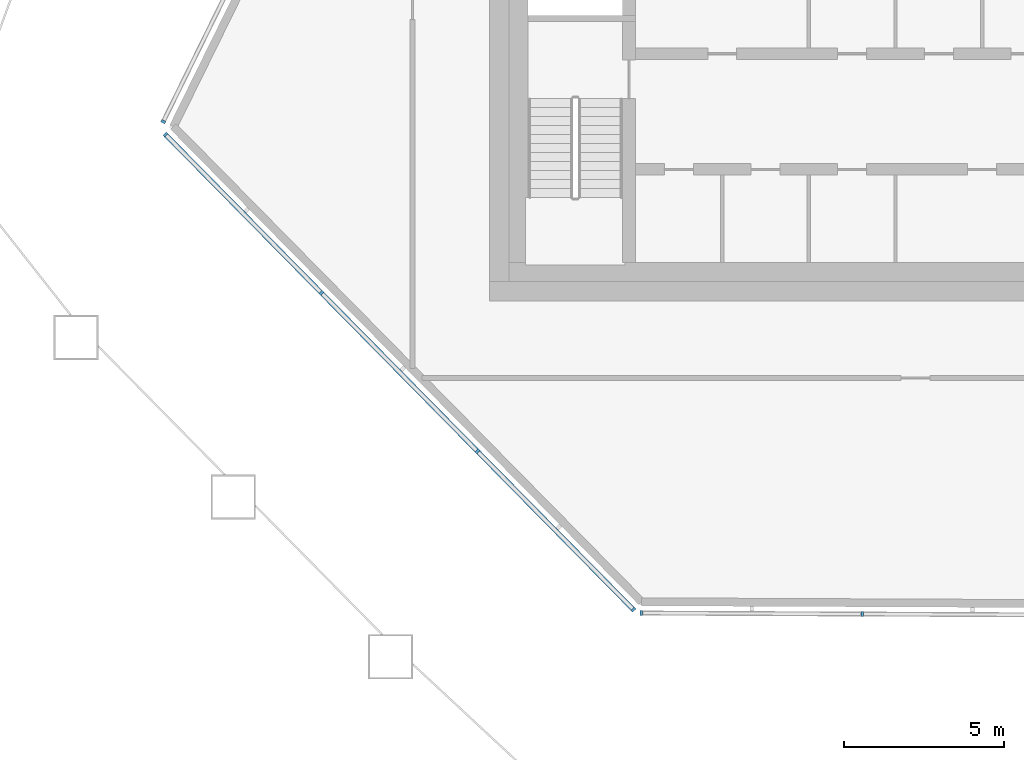
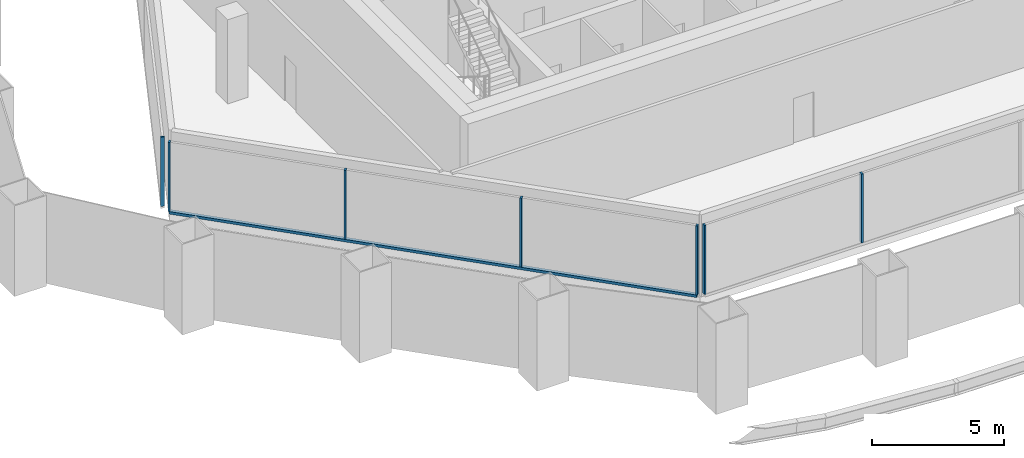
# One storey, part 2 of 18: 8 members, 3 elements without a shape of their own.
"""IFC4 building model written with IfcOpenShell, lengths in metres."""

import ifcopenshell
import ifcopenshell.guid

model = None  # the IFC model being written
_history = None  # IfcOwnerHistory: only IFC2X3 demands one
_inside = {}  # id of a spatial element -> (the spatial element, [elements in it])
_under = {}  # id of a project, library or spatial element -> (it, [spatial elements below it])
_declared = {}  # id of a project -> (the project, [libraries it declares])
_typed = {}  # id of a type object -> (the type object, [elements of that type])
_made_of = {}  # id of a material, layer set ... -> (it, [elements and type objects made of it])


def new_model(schema):
    """Start an empty IFC model of exactly this schema.

    Asked for "IFC4X3", IfcOpenShell would pick the latest addendum, in which some entities
    have other attributes; the version numbers below select the first issue.
    IFC2X3 requires an IfcOwnerHistory on every rooted entity: one is made here for all.
    """
    global model, _history
    if schema == "IFC4X3":
        model = ifcopenshell.file(schema_version=(4, 3, 0, 0))
    else:
        model = ifcopenshell.file(schema=schema)
    _inside.clear()
    _under.clear()
    _declared.clear()
    _typed.clear()
    _made_of.clear()
    _history = None
    if model.schema == "IFC2X3":
        org = make("IfcOrganization", Name="unknown")
        user = make(
            "IfcPersonAndOrganization",
            ThePerson=make("IfcPerson", FamilyName="unknown"),
            TheOrganization=org,
        )
        app = make(
            "IfcApplication",
            ApplicationDeveloper=org,
            Version="unknown",
            ApplicationFullName="unknown",
            ApplicationIdentifier="unknown",
        )
        _history = make(
            "IfcOwnerHistory",
            OwningUser=user,
            OwningApplication=app,
            ChangeAction="ADDED",
            CreationDate=0,
        )
    return model


def make(cls, **values):
    """One entity of the class cls with the attributes given. An attribute that is None is left unset."""
    return model.create_entity(
        cls, **{name: value for name, value in values.items() if value is not None}
    )


def rooted(cls, **values):
    """An entity with a GlobalId (a new one), such as an element, a storey or a relation."""
    return make(cls, GlobalId=ifcopenshell.guid.new(), OwnerHistory=_history, **values)


def si_unit(unit_type, name, prefix=None):
    """IfcSIUnit, for example si_unit("LENGTHUNIT", "METRE", prefix="MILLI")."""
    return make("IfcSIUnit", UnitType=unit_type, Prefix=prefix, Name=name)


def assignment(units):
    """IfcUnitAssignment: the units of a project."""
    return None if units is None else make("IfcUnitAssignment", Units=units)


def point(xyz):
    """IfcCartesianPoint."""
    return None if xyz is None else make("IfcCartesianPoint", Coordinates=xyz)


def direction(xyz):
    """IfcDirection."""
    return None if xyz is None else make("IfcDirection", DirectionRatios=xyz)


def frame(location, z_axis=None, x_axis=None):
    """IfcAxis2Placement3D, a coordinate frame: its origin and axes. An axis left out is left unset."""
    return make(
        "IfcAxis2Placement3D",
        Location=point(location),
        Axis=direction(z_axis),
        RefDirection=direction(x_axis),
    )


def frame_2d(location, x_axis=None):
    """IfcAxis2Placement2D, a coordinate frame in the plane: its origin and x axis."""
    return make(
        "IfcAxis2Placement2D", Location=point(location), RefDirection=direction(x_axis)
    )


def origin():
    """The frame at (0, 0, 0) with its axes left unset."""
    return frame((0.0, 0.0, 0.0))


def origin_2d():
    """The frame at (0, 0) in the plane with its x axis left unset."""
    return frame_2d((0.0, 0.0))


def place(relative_to, where):
    """IfcLocalPlacement: puts the frame where relative to a parent placement (None: the world)."""
    return make(
        "IfcLocalPlacement", PlacementRelTo=relative_to, RelativePlacement=where
    )


def context(
    kind, dimensions, precision=None, world=None, true_north=None, identifier=None
):
    """IfcGeometricRepresentationContext, for example the 3D "Model" context."""
    return make(
        "IfcGeometricRepresentationContext",
        ContextIdentifier=identifier,
        ContextType=kind,
        CoordinateSpaceDimension=dimensions,
        Precision=precision,
        WorldCoordinateSystem=world,
        TrueNorth=true_north,
    )


def subcontext(parent, identifier, kind, view, scale=None):
    """IfcGeometricRepresentationSubContext, for example "Body" below "Model"."""
    return make(
        "IfcGeometricRepresentationSubContext",
        ContextIdentifier=identifier,
        ContextType=kind,
        ParentContext=parent,
        TargetScale=scale,
        TargetView=view,
    )


def project(units=None, contexts=None):
    """IfcProject with its units and contexts."""
    return rooted(
        "IfcProject",
        Name="project",
        RepresentationContexts=contexts,
        UnitsInContext=assignment(units),
    )


def spatial(cls, under=None, at=None, **own):
    """A site, building, storey or space (cls), placed at a placement, below another one or the project."""
    s = rooted(cls, ObjectPlacement=at, **own)
    if under is not None:
        _under.setdefault(under.id(), (under, []))[1].append(s)
    return s


def profile(cls, at=None, kind="AREA", **sizes):
    """A parametric profile (cls). Its sizes go by their IFC names, for example OverallWidth=200.0."""
    return make(cls, ProfileType=kind, Position=at, **sizes)


def rectangle(**sizes):
    """IfcRectangleProfileDef."""
    return profile("IfcRectangleProfileDef", **sizes)


def extrude(swept, where, along, depth):
    """IfcExtrudedAreaSolid: the profile swept, set in the frame where, extruded along a direction by depth."""
    return make(
        "IfcExtrudedAreaSolid",
        SweptArea=swept,
        Position=where,
        ExtrudedDirection=direction(along),
        Depth=depth,
    )


def shape(context_of_items, identifier, shape_type, items):
    """IfcShapeRepresentation: the items that make up one representation, for example the "Body"."""
    return make(
        "IfcShapeRepresentation",
        ContextOfItems=context_of_items,
        RepresentationIdentifier=identifier,
        RepresentationType=shape_type,
        Items=items,
    )


def material(Name=None, Category=None):
    """IfcMaterial."""
    return make("IfcMaterial", Name=Name, Category=Category)


def layer(
    of_material, thickness, ventilated=None, Name=None, Category=None, Priority=None
):
    """IfcMaterialLayer: one layer of a wall or slab, of a material (None: an air gap)."""
    return make(
        "IfcMaterialLayer",
        Material=of_material,
        LayerThickness=thickness,
        IsVentilated=ventilated,
        Name=Name,
        Category=Category,
        Priority=Priority,
    )


def layer_set(layers, Name=None):
    """IfcMaterialLayerSet."""
    return make("IfcMaterialLayerSet", MaterialLayers=layers, LayerSetName=Name)


def material_profile(
    of_material, cross_section, Name=None, Category=None, Priority=None
):
    """IfcMaterialProfile: a cross section and its material."""
    return make(
        "IfcMaterialProfile",
        Name=Name,
        Material=of_material,
        Profile=cross_section,
        Priority=Priority,
        Category=Category,
    )


def profile_set(profiles, Name=None, composite=None):
    """IfcMaterialProfileSet."""
    return make(
        "IfcMaterialProfileSet",
        Name=Name,
        MaterialProfiles=profiles,
        CompositeProfile=composite,
    )


def made_of(thing, what):
    """Note that an element or type object is made of a material, layer set ...; save() writes the relation."""
    if what is not None:
        _made_of.setdefault(what.id(), (what, []))[1].append(thing)
    return thing


def type_object(cls, material=None, **own):
    """A type object (cls), such as IfcWallType, which elements share."""
    return made_of(rooted(cls, **own), material)


def element(
    cls,
    number,
    at=None,
    inside=None,
    cuts=None,
    type_object=None,
    material=None,
    context=None,
    identifier="Body",
    shape_type=None,
    held_by="IfcProductDefinitionShape",
    body=None,
    shapes=None,
    **own,
):
    """One element of the class cls, such as IfcWall. Its Tag is "e" and its number.

    at: its placement. inside: the storey or other place that contains it. cuts: it is an
    opening in that element (IfcRelVoidsElement). A single representation is given by context,
    identifier, shape_type and body (its items); several are given by shapes. held_by: the class
    of the entity that holds the representations. save() writes the other relations.
    """
    e = rooted(cls, Tag="e%d" % number, ObjectPlacement=at, **own)
    if body is not None:
        shapes = [shape(context, identifier, shape_type, body)]
    if shapes is not None:
        e.Representation = make(held_by, Representations=shapes)
    if inside is not None:
        _inside.setdefault(inside.id(), (inside, []))[1].append(e)
    if cuts is not None:
        rooted(
            "IfcRelVoidsElement", RelatingBuildingElement=cuts, RelatedOpeningElement=e
        )
    if type_object is not None:
        _typed.setdefault(type_object.id(), (type_object, []))[1].append(e)
    return made_of(e, material)


def aggregate(whole, parts):
    """IfcRelAggregates: a whole, such as a stair, and the parts it consists of."""
    return rooted("IfcRelAggregates", RelatingObject=whole, RelatedObjects=parts)


def save(model, path):
    """Write the relations noted so far, then the file.

    IfcRelAggregates (storeys below a building ...), IfcRelContainedInSpatialStructure (elements
    in a storey), IfcRelDefinesByType, IfcRelAssociatesMaterial and IfcRelDeclares: one each for
    every whole, place, type object, material and project.
    """
    for whole, parts in _under.values():
        aggregate(whole, parts)
    for where, things in _inside.values():
        rooted(
            "IfcRelContainedInSpatialStructure",
            RelatedElements=things,
            RelatingStructure=where,
        )
    for kind, things in _typed.values():
        rooted("IfcRelDefinesByType", RelatedObjects=things, RelatingType=kind)
    for what, things in _made_of.values():
        rooted("IfcRelAssociatesMaterial", RelatedObjects=things, RelatingMaterial=what)
    for by, libraries in _declared.values():
        rooted("IfcRelDeclares", RelatingContext=by, RelatedDefinitions=libraries)
    model.write(path)


model = new_model("IFC4")

# Units and contexts
model_context = context("Model", 3, precision=1e-05, world=origin(), true_north=direction((0.0, 1.0)))
body_context = subcontext(model_context, "Body", "Model", "MODEL_VIEW")
ifc_project = project(units=[si_unit("LENGTHUNIT", "METRE"), si_unit("AREAUNIT", "SQUARE_METRE"), si_unit("VOLUMEUNIT", "CUBIC_METRE"), si_unit("PLANEANGLEUNIT", "RADIAN"), si_unit("MASSUNIT", "GRAM", prefix="KILO")], contexts=[model_context])

# Site, building, storey
site_placement = place(None, origin())
site = spatial("IfcSite", under=ifc_project, at=site_placement, CompositionType="ELEMENT")
building_placement = place(site_placement, origin())
building = spatial("IfcBuilding", under=site, at=building_placement, Name="Dongbaek Canopy Tower", CompositionType="ELEMENT")
storey_placement = place(building_placement, frame((0.0, 0.0, 371.60009765625)))
storey = spatial("IfcBuildingStorey", under=building, at=storey_placement, Name="L80", CompositionType="ELEMENT", Elevation=371.60009765625)

# Curtain wall, members
ifc_material_1 = material(Name="Aluminium 6063-T6 pale anodised", Category="aluminium")
ifc_layer = layer(ifc_material_1, 0.14990234375)
ifc_layer_set = layer_set([ifc_layer], Name="CW-7 louvre curtain wall")
curtain_wall_type = type_object("IfcCurtainWallType", Name="CW-7 louvre curtain wall", PredefinedType="NOTDEFINED", material=ifc_layer_set)
curtain_wall_1_placement = place(storey_placement, origin())
curtain_wall_1 = element("IfcCurtainWall", 1, at=curtain_wall_1_placement, inside=storey, type_object=curtain_wall_type, Name="CW-7 louvre wall L80 F0", PredefinedType="NOTDEFINED")
ifc_material_2 = material(Name="Aluminium 6063-T6 pale anodised", Category="aluminium")
ifc_material_profile_1 = material_profile(ifc_material_2, rectangle(XDim=0.14990234375, YDim=0.080078125, at=origin_2d()), Name="CW-7 mullion 80 x 150")
ifc_profile_set_1 = profile_set([ifc_material_profile_1], Name="Aluminium 6063-T6 pale anodised")
member_type_1 = type_object("IfcMemberType", Name="CW-7 mullion 80 x 150", PredefinedType="MULLION", material=ifc_profile_set_1)
member_1_placement = place(storey_placement, frame((-9.267333984375, -20.7265625, 0.2998046875), z_axis=(0.0, 0.0, 1.0), x_axis=(-0.004466136555, -0.999990026762, 0.0)))
member_1 = element("IfcMember", 2, at=member_1_placement, type_object=member_type_1, Name="CW-7 mullion L80 F0.1.1", PredefinedType="MULLION", context=body_context, shape_type="SweptSolid", body=[
    extrude(rectangle(XDim=0.14990234375, YDim=0.080078125, at=origin_2d()), origin(), (0.0, 0.0, 1.0), 3.2001953125),
])
member_2_placement = place(storey_placement, frame((-2.3896484375, -20.75732421875, 0.2998046875), z_axis=(0.0, 0.0, 1.0), x_axis=(-0.004466136555, -0.999990026762, 0.0)))
member_2 = element("IfcMember", 3, at=member_2_placement, type_object=member_type_1, Name="CW-7 mullion L80 F0.1.2", PredefinedType="MULLION", context=body_context, shape_type="SweptSolid", body=[
    extrude(rectangle(XDim=0.14990234375, YDim=0.080078125, at=origin_2d()), origin(), (0.0, 0.0, 1.0), 3.2001953125),
])
aggregate(curtain_wall_1, [member_1, member_2])

# Curtain wall, member
curtain_wall_2_placement = place(storey_placement, origin())
curtain_wall_2 = element("IfcCurtainWall", 4, at=curtain_wall_2_placement, inside=storey, type_object=curtain_wall_type, Name="CW-7 louvre wall L80 F4", PredefinedType="NOTDEFINED")
member_3_placement = place(storey_placement, frame((-24.165283203125, -5.41357421875, 0.2998046875), z_axis=(0.0, 0.0, 1.0), x_axis=(-0.897339163834, 0.441341619439, 0.0)))
member_3 = element("IfcMember", 5, at=member_3_placement, type_object=member_type_1, Name="CW-7 mullion L80 F4.1.4", PredefinedType="MULLION", context=body_context, shape_type="SweptSolid", body=[
    extrude(rectangle(XDim=0.14990234375, YDim=0.080078125, at=origin_2d()), origin(), (0.0, 0.0, 1.0), 3.2001953125),
])
aggregate(curtain_wall_2, [member_3])

# Curtain wall, members
curtain_wall_3_placement = place(storey_placement, origin())
curtain_wall_3 = element("IfcCurtainWall", 6, at=curtain_wall_3_placement, inside=storey, type_object=curtain_wall_type, Name="CW-7 louvre wall L80 F5", PredefinedType="NOTDEFINED")
member_4_placement = place(storey_placement, frame((-24.1005859375, -5.813720703125, 0.2998046875), z_axis=(0.0, 0.0, 1.0), x_axis=(-0.712454538603, -0.70171826998, 0.0)))
member_4 = element("IfcMember", 7, at=member_4_placement, type_object=member_type_1, Name="CW-7 mullion L80 F5.1.1", PredefinedType="MULLION", context=body_context, shape_type="SweptSolid", body=[
    extrude(rectangle(XDim=0.14990234375, YDim=0.080078125, at=origin_2d()), origin(), (0.0, 0.0, 1.0), 3.2001953125),
])
member_5_placement = place(storey_placement, frame((-19.23876953125, -10.749755859375, 0.2998046875), z_axis=(0.0, 0.0, 1.0), x_axis=(-0.712454538603, -0.70171826998, 0.0)))
member_5 = element("IfcMember", 8, at=member_5_placement, type_object=member_type_1, Name="CW-7 mullion L80 F5.1.2", PredefinedType="MULLION", context=body_context, shape_type="SweptSolid", body=[
    extrude(rectangle(XDim=0.14990234375, YDim=0.080078125, at=origin_2d()), origin(), (0.0, 0.0, 1.0), 3.2001953125),
])
member_6_placement = place(storey_placement, frame((-14.376953125, -15.68603515625, 0.2998046875), z_axis=(0.0, 0.0, 1.0), x_axis=(-0.712454538603, -0.70171826998, 0.0)))
member_6 = element("IfcMember", 9, at=member_6_placement, type_object=member_type_1, Name="CW-7 mullion L80 F5.1.3", PredefinedType="MULLION", context=body_context, shape_type="SweptSolid", body=[
    extrude(rectangle(XDim=0.14990234375, YDim=0.080078125, at=origin_2d()), origin(), (0.0, 0.0, 1.0), 3.2001953125),
])
member_7_placement = place(storey_placement, frame((-9.51513671875, -20.622314453125, 0.2998046875), z_axis=(0.0, 0.0, 1.0), x_axis=(-0.712454538603, -0.70171826998, 0.0)))
member_7 = element("IfcMember", 10, at=member_7_placement, type_object=member_type_1, Name="CW-7 mullion L80 F5.1.4", PredefinedType="MULLION", context=body_context, shape_type="SweptSolid", body=[
    extrude(rectangle(XDim=0.14990234375, YDim=0.080078125, at=origin_2d()), origin(), (0.0, 0.0, 1.0), 3.2001953125),
])
ifc_material_3 = material(Name="Aluminium 6063-T6 pale anodised", Category="aluminium")
ifc_material_profile_2 = material_profile(ifc_material_3, rectangle(XDim=0.14990234375, YDim=0.1201171875, at=origin_2d()), Name="CW-7 transom 120 x 150")
ifc_profile_set_2 = profile_set([ifc_material_profile_2], Name="Aluminium 6063-T6 pale anodised")
member_type_2 = type_object("IfcMemberType", Name="CW-7 transom 120 x 150", PredefinedType="USERDEFINED", material=ifc_profile_set_2)
member_8_placement = place(storey_placement, frame((-24.1005859375, -5.813720703125, 0.239990234375), z_axis=(0.701718568407, -0.712454244673, 0.0), x_axis=(0.712454244673, 0.701718568407, 0.0)))
member_8 = element("IfcMember", 11, at=member_8_placement, type_object=member_type_2, Name="CW-7 transom L80 F5.1", ObjectType="TRANSOM", PredefinedType="USERDEFINED", context=body_context, shape_type="SweptSolid", body=[
    extrude(rectangle(XDim=0.14990234375, YDim=0.1201171875, at=origin_2d()), origin(), (0.0, 0.0, 1.0), 20.785400390625),
])
aggregate(curtain_wall_3, [member_8, member_4, member_5, member_6, member_7])

save(model, "model.ifc")
